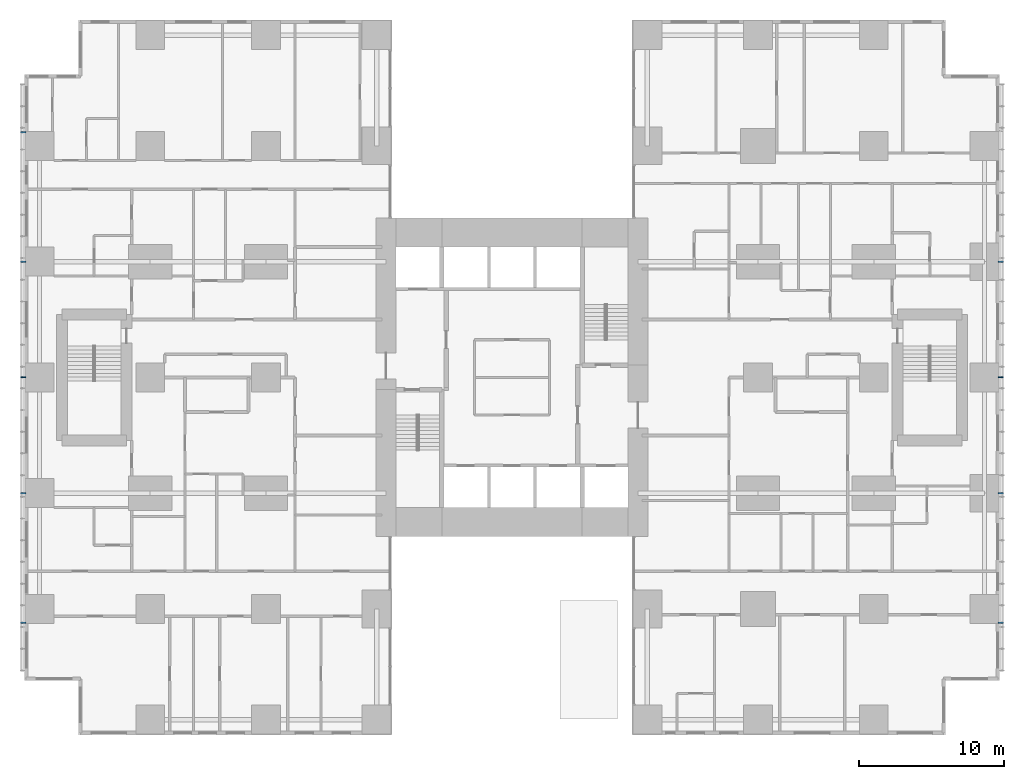
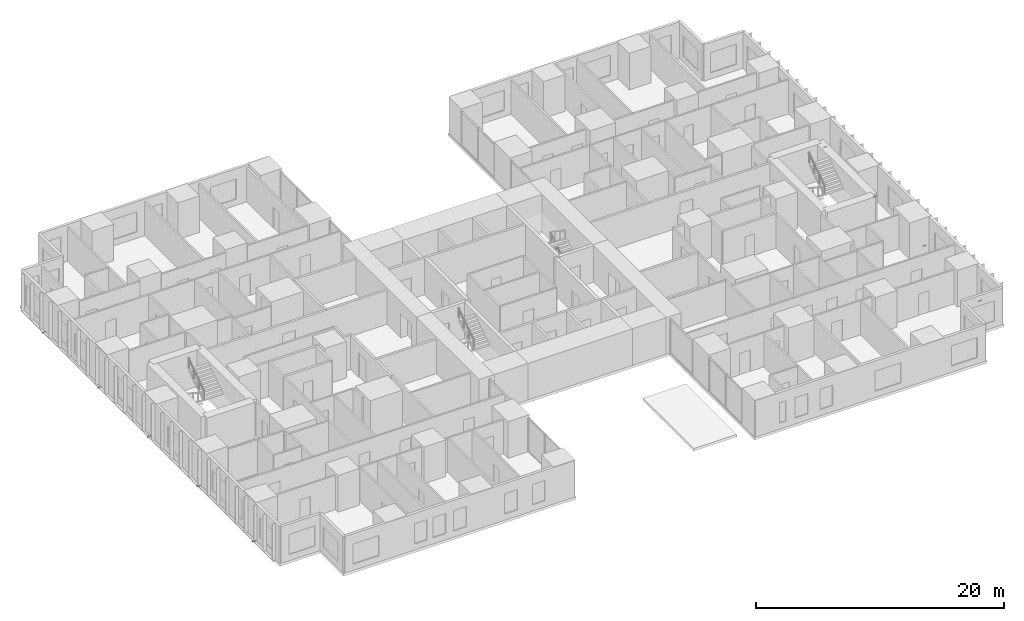
# One storey, part 7 of 22: 9 members.
"""IFC4 building model written with IfcOpenShell, lengths in metres."""

from ifc_helpers import new_model, si_unit, direction, frame, origin, origin_2d, place, context, subcontext, project, spatial, hollow_rectangle, extrude, material, material_profile, profile_set, type_object, element, save


model = new_model("IFC4")

# Units and contexts
model_context = context("Model", 3, precision=1e-05, world=origin(), true_north=direction((0.0, 1.0)))
body_context = subcontext(model_context, "Body", "Model", "MODEL_VIEW")
ifc_project = project(units=[si_unit("LENGTHUNIT", "METRE"), si_unit("AREAUNIT", "SQUARE_METRE"), si_unit("VOLUMEUNIT", "CUBIC_METRE"), si_unit("PLANEANGLEUNIT", "RADIAN"), si_unit("MASSUNIT", "GRAM", prefix="KILO")], contexts=[model_context])

# Site, building, storey
site_placement = place(None, origin())
site = spatial("IfcSite", under=ifc_project, at=site_placement, CompositionType="ELEMENT")
building_placement = place(site_placement, origin())
building = spatial("IfcBuilding", under=site, at=building_placement, Name="Cleftline Residences", CompositionType="ELEMENT")
storey_placement = place(building_placement, frame((0.0, 0.0, 29.60009765625)))
storey = spatial("IfcBuildingStorey", under=building, at=storey_placement, Name="L06", CompositionType="ELEMENT", Elevation=29.60009765625)

# Members
ifc_material = material(Name="Steel S355, hot-dip galvanised", Category="steel")
ifc_material_profile = material_profile(ifc_material, hollow_rectangle(XDim=0.10009765625, YDim=0.10009765625, WallThickness=0.008056640625, InnerFilletRadius=0.008056640625, OuterFilletRadius=0.011962890625, at=origin_2d()))
ifc_profile_set = profile_set([ifc_material_profile], Name="Steel S355, hot-dip galvanised")
member_type = type_object("IfcMemberType", Name="BAGUETTE BRACKET SHS 100X100X8", PredefinedType="USERDEFINED", material=ifc_profile_set)
for number, where, z_axis, x_axis, name in (
    (1, (66.60009765625, 7.050048828125, -0.150146484375), (1.0, 0.0, 0.0), (0.0, 1.0, 0.0), "Baguette bracket"),
    (2, (66.60009765625, 16.0, -0.150146484375), (1.0, 0.0, 0.0), (0.0, 1.0, 0.0), "Baguette bracket"),
    (3, (66.60009765625, 24.0, -0.150146484375), (1.0, 0.0, 0.0), (0.0, 1.0, 0.0), "Baguette bracket"),
    (4, (66.60009765625, 32.0, -0.150146484375), (1.0, 0.0, 0.0), (0.0, 1.0, 0.0), "Baguette bracket"),
    (5, (-0.60009765625, 40.949951171875, -0.150146484375), (-1.0, 0.0, 0.0), (0.0, -1.0, 0.0), "Baguette bracket"),
    (6, (-0.60009765625, 32.0, -0.150146484375), (-1.0, 0.0, 0.0), (0.0, -1.0, 0.0), "Baguette bracket"),
    (7, (-0.60009765625, 24.0, -0.150146484375), (-1.0, 0.0, 0.0), (0.0, -1.0, 0.0), "Baguette bracket"),
    (8, (-0.60009765625, 16.0, -0.150146484375), (-1.0, 0.0, 0.0), (0.0, -1.0, 0.0), "Baguette bracket"),
    (9, (-0.60009765625, 7.050048828125, -0.150146484375), (-1.0, 0.0, 0.0), (0.0, -1.0, 0.0), "Baguette bracket"),
):
    element("IfcMember", number, at=place(storey_placement, frame(where, z_axis=z_axis, x_axis=x_axis)), inside=storey, type_object=member_type, Name=name, ObjectType="BAGUETTE BRACKET", PredefinedType="USERDEFINED", context=body_context, shape_type="SweptSolid", body=[
        extrude(hollow_rectangle(XDim=0.10009765625, YDim=0.10009765625, WallThickness=0.008056640625, InnerFilletRadius=0.008056640625, OuterFilletRadius=0.011962890625, at=origin_2d()), origin(), (0.0, 0.0, 1.0), 0.349853515625),
    ])

save(model, "model.ifc")
